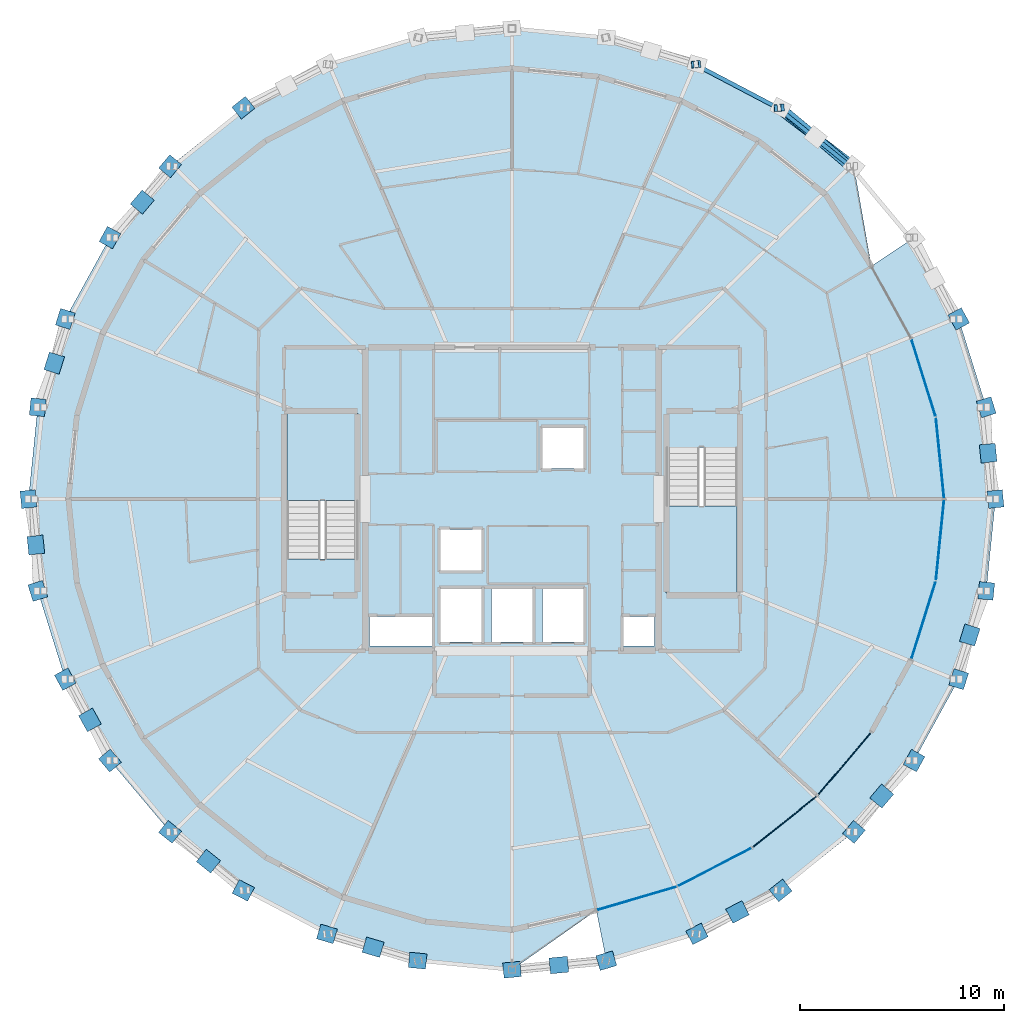
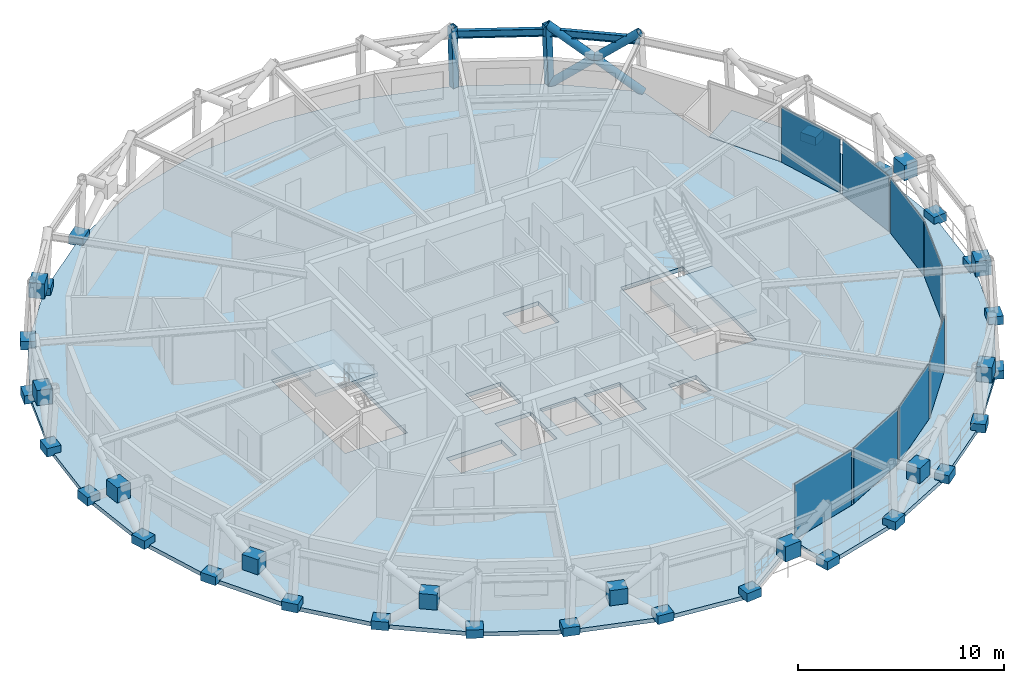
# One storey, part 10 of 16: 43 plates, 5 members, 4 slabs, 2 beams, 4 elements without a shape of their own.
"""IFC4 building model written with IfcOpenShell, lengths in metres."""

from ifc_helpers import new_model, si_unit, direction, frame, origin, origin_2d, place, context, subcontext, project, spatial, polyline, rectangle, hollow_rectangle, hollow_circle, i_section, outline, extrude, material, layer, layer_set, material_profile, profile_set, type_object, element, aggregate, save


model = new_model("IFC4")

# Units and contexts
model_context = context("Model", 3, precision=1e-05, world=origin(), true_north=direction((0.0, 1.0)))
body_context = subcontext(model_context, "Body", "Model", "MODEL_VIEW")
ifc_project = project(units=[si_unit("LENGTHUNIT", "METRE"), si_unit("AREAUNIT", "SQUARE_METRE"), si_unit("VOLUMEUNIT", "CUBIC_METRE"), si_unit("PLANEANGLEUNIT", "RADIAN"), si_unit("MASSUNIT", "GRAM", prefix="KILO")], contexts=[model_context])

# Site, building, storey
site_placement = place(None, origin())
site = spatial("IfcSite", under=ifc_project, at=site_placement, CompositionType="ELEMENT")
building_placement = place(site_placement, origin())
building = spatial("IfcBuilding", under=site, at=building_placement, Name="Veldorina Hangang Commons", CompositionType="ELEMENT")
storey_placement = place(building_placement, frame((0.0, 0.0, 240.0)))
storey = spatial("IfcBuildingStorey", under=building, at=storey_placement, Name="L62", CompositionType="ELEMENT", Elevation=240.0)

# Beams
ifc_material_1 = material(Name="Steel SM355-TMC", Category="steel")
ifc_material_profile_1 = material_profile(ifc_material_1, i_section(OverallWidth=0.199951171875, OverallDepth=0.449951171875, WebThickness=0.009033203125, FlangeThickness=0.013916015625, FilletRadius=0.01611328125, at=origin_2d()), Name="H-450x200x9x14")
ifc_profile_set_1 = profile_set([ifc_material_profile_1], Name="Steel SM355-TMC")
beam_type = type_object("IfcBeamType", Name="BM-RB450", PredefinedType="BEAM", material=ifc_profile_set_1)
beam_1_placement = place(storey_placement, frame((48.60888671875, 40.322509765625, 3.135009765625), z_axis=(-0.778414722613, 0.627750364093, 0.0), x_axis=(-0.627750364093, -0.778414722613, 0.0)))
element("IfcBeam", 1, at=beam_1_placement, inside=storey, type_object=beam_type, Name="L62 perimeter hoop ring beam 04", PredefinedType="BEAM", context=body_context, shape_type="SweptSolid", body=[
    extrude(i_section(OverallWidth=0.199951171875, OverallDepth=0.449951171875, WebThickness=0.009033203125, FlangeThickness=0.013916015625, FilletRadius=0.01611328125, at=origin_2d()), origin(), (0.0, 0.0, 1.0), 4.57275390625),
])
beam_2_placement = place(storey_placement, frame((45.04931640625, 43.193115234375, 3.135009765625), z_axis=(-0.885295472957, 0.465028951315, 0.0), x_axis=(-0.465028951315, -0.885295472957, 0.0)))
element("IfcBeam", 2, at=beam_2_placement, inside=storey, type_object=beam_type, Name="L62 perimeter hoop ring beam 05", PredefinedType="BEAM", context=body_context, shape_type="SweptSolid", body=[
    extrude(i_section(OverallWidth=0.199951171875, OverallDepth=0.449951171875, WebThickness=0.009033203125, FlangeThickness=0.013916015625, FilletRadius=0.01611328125, at=origin_2d()), origin(), (0.0, 0.0, 1.0), 4.5869140625),
])

# Members
ifc_material_profile_2 = material_profile(ifc_material_1, hollow_circle(Radius=0.22509765625, WallThickness=0.02197265625, at=origin_2d()), Name="CHS-450x22")
ifc_profile_set_2 = profile_set([ifc_material_profile_2], Name="Steel SM355-TMC")
member_type_1 = type_object("IfcMemberType", Name="DG-CHS450", PredefinedType="BRACE", material=ifc_profile_set_2)
member_1_placement = place(storey_placement, frame((48.7763671875, 40.329833984375, 0.0), z_axis=(-0.631585229019, 0.482475800846, 0.606891423636), x_axis=(-0.607052161522, -0.794661986754, 0.0)))
element("IfcMember", 3, at=member_1_placement, inside=storey, type_object=member_type_1, Name="L62 continuous perimeter diagrid brace 04", PredefinedType="BRACE", context=body_context, shape_type="SweptSolid", body=[
    extrude(hollow_circle(Radius=0.22509765625, WallThickness=0.02197265625, at=origin_2d()), origin(), (0.0, 0.0, 1.0), 5.93212890625),
])
member_2_placement = place(storey_placement, frame((45.18115234375, 43.201904296875, 0.0), z_axis=(0.596590203857, -0.499366209633, 0.628262299791), x_axis=(0.641857564941, 0.76682388221, 0.0)))
element("IfcMember", 4, at=member_2_placement, inside=storey, type_object=member_type_1, Name="L62 split perimeter diagrid lower brace 05", PredefinedType="BRACE", context=body_context, shape_type="SweptSolid", body=[
    extrude(hollow_circle(Radius=0.22509765625, WallThickness=0.02197265625, at=origin_2d()), origin(), (0.0, 0.0, 1.0), 2.875244140625),
])
member_3_placement = place(storey_placement, frame((46.896484375, 41.76611328125, 1.806396484375), z_axis=(0.59101348176, -0.506021091588, 0.628208340638), x_axis=(0.650374957041, 0.759613332725, 0.0)))
element("IfcMember", 5, at=member_3_placement, inside=storey, type_object=member_type_1, Name="L62 split perimeter diagrid upper brace 05", PredefinedType="BRACE", context=body_context, shape_type="SweptSolid", body=[
    extrude(hollow_circle(Radius=0.22509765625, WallThickness=0.02197265625, at=origin_2d()), origin(), (0.0, 0.0, 1.0), 2.855224609375),
])
ifc_material_profile_3 = material_profile(ifc_material_1, hollow_rectangle(XDim=0.35009765625, YDim=0.35009765625, WallThickness=0.01611328125, at=origin_2d()), Name="SHS-350x350x16")
ifc_profile_set_3 = profile_set([ifc_material_profile_3], Name="Steel SM355-TMC")
member_type_2 = type_object("IfcMemberType", Name="STR-SHS350", PredefinedType="STRUT", material=ifc_profile_set_3)
member_4_placement = place(storey_placement, frame((45.18115234375, 43.201904296875, 0.0), z_axis=(-0.042008023539, -0.002777949944, 0.999113411457), x_axis=(0.065984912024, -0.997820620846, 0.0)))
element("IfcMember", 6, at=member_4_placement, inside=storey, type_object=member_type_2, Name="L62 perimeter ring node post 05", PredefinedType="STRUT", context=body_context, shape_type="SweptSolid", body=[
    extrude(hollow_rectangle(XDim=0.35009765625, YDim=0.35009765625, WallThickness=0.01611328125, at=origin_2d()), origin(), (0.0, 0.0, 1.0), 3.603271484375),
])
member_5_placement = place(storey_placement, frame((41.079345703125, 45.3359375, 0.0), z_axis=(-0.028944731861, -0.003118167835, 0.999576149939), x_axis=(0.107108611239, -0.994247326071, 0.0)))
element("IfcMember", 7, at=member_5_placement, inside=storey, type_object=member_type_2, Name="L62 perimeter ring node post 06", PredefinedType="STRUT", context=body_context, shape_type="SweptSolid", body=[
    extrude(hollow_rectangle(XDim=0.35009765625, YDim=0.35009765625, WallThickness=0.01611328125, at=origin_2d()), origin(), (0.0, 0.0, 1.0), 3.6015625),
])

# Curtain wall, plates
ifc_material_2 = material(Name="Glass Low-E Selective", Category="glass")
ifc_layer_1 = layer(ifc_material_2, 0.179931640625)
ifc_layer_set_1 = layer_set([ifc_layer_1], Name="Glass Low-E Selective")
curtain_wall_type = type_object("IfcCurtainWallType", Name="CW-SYS-Z3", PredefinedType="NOTDEFINED", material=ifc_layer_set_1)
curtain_wall_1_placement = place(storey_placement, origin())
curtain_wall_1 = element("IfcCurtainWall", 8, at=curtain_wall_1_placement, inside=storey, type_object=curtain_wall_type, Name="L62 unitised curtain wall CW-L62-R1", PredefinedType="NOTDEFINED")
ifc_material_3 = material(Name="Glass Low-E Triple IGU", Category="glass")
ifc_layer_2 = layer(ifc_material_3, 0.0400390625)
ifc_layer_set_2 = layer_set([ifc_layer_2], Name="Glass Low-E Triple IGU")
plate_type_1 = type_object("IfcPlateType", Name="CW-PNL-VIS", PredefinedType="CURTAIN_PANEL", material=ifc_layer_set_2)
plate_1_placement = place(storey_placement, frame((38.1259765625, 4.40673828125, 0.014892578125), z_axis=(0.0, 0.0, 1.0), x_axis=(0.95931397454, 0.282341456843, 0.0)))
plate_1 = element("IfcPlate", 9, at=plate_1_placement, type_object=plate_type_1, Name="CW-L62-R1 facet 1 glazed vision panel", PredefinedType="CURTAIN_PANEL", context=body_context, shape_type="SweptSolid", body=[
    extrude(rectangle(XDim=3.966796875, YDim=0.0400390625, at=origin_2d()), origin(), (0.0, 0.0, 1.0), 3.2900390625),
])
plate_2_placement = place(storey_placement, frame((41.947998046875, 5.94287109375, 0.014892578125), z_axis=(0.0, 0.0, 1.0), x_axis=(0.887727016759, 0.460370224619, 0.0)))
plate_2 = element("IfcPlate", 10, at=plate_2_placement, type_object=plate_type_1, Name="CW-L62-R1 facet 2 glazed vision panel", PredefinedType="CURTAIN_PANEL", context=body_context, shape_type="SweptSolid", body=[
    extrude(rectangle(XDim=3.94970703125, YDim=0.0400390625, at=origin_2d()), origin(), (0.0, 0.0, 1.0), 3.2900390625),
])
plate_3_placement = place(storey_placement, frame((45.3876953125, 8.1728515625, 0.014892578125), z_axis=(0.0, 0.0, 1.0), x_axis=(0.782292973649, 0.622910670465, 0.0)))
plate_3 = element("IfcPlate", 11, at=plate_3_placement, type_object=plate_type_1, Name="CW-L62-R1 facet 3 glazed vision panel", PredefinedType="CURTAIN_PANEL", context=body_context, shape_type="SweptSolid", body=[
    extrude(rectangle(XDim=3.927734375, YDim=0.0400390625, at=origin_2d()), origin(), (0.0, 0.0, 1.0), 3.2900390625),
])
plate_4_placement = place(storey_placement, frame((48.31298828125, 11.010986328125, 0.014892578125), z_axis=(0.0, 0.0, 1.0), x_axis=(0.645804220899, 0.763503050596, 0.0)))
plate_4 = element("IfcPlate", 12, at=plate_4_placement, type_object=plate_type_1, Name="CW-L62-R1 facet 4 glazed vision panel", PredefinedType="CURTAIN_PANEL", context=body_context, shape_type="SweptSolid", body=[
    extrude(rectangle(XDim=3.9033203125, YDim=0.0400390625, at=origin_2d()), origin(), (0.0, 0.0, 1.0), 3.2900390625),
])
aggregate(curtain_wall_1, [plate_1, plate_2, plate_3, plate_4])

curtain_wall_2_placement = place(storey_placement, origin())
curtain_wall_2 = element("IfcCurtainWall", 13, at=curtain_wall_2_placement, inside=storey, type_object=curtain_wall_type, Name="L62 unitised curtain wall CW-L62-R2", PredefinedType="NOTDEFINED")
plate_5_placement = place(storey_placement, frame((52.194580078125, 18.056396484375, 0.014892578125), z_axis=(0.0, 0.0, 1.0), x_axis=(0.298407850381, 0.954438449996, 0.0)))
plate_5 = element("IfcPlate", 14, at=plate_5_placement, type_object=plate_type_1, Name="CW-L62-R2 facet 1 glazed vision panel", PredefinedType="CURTAIN_PANEL", context=body_context, shape_type="SweptSolid", body=[
    extrude(rectangle(XDim=3.86376953125, YDim=0.0400390625, at=origin_2d()), origin(), (0.0, 0.0, 1.0), 3.2900390625),
])
plate_6_placement = place(storey_placement, frame((53.001708984375, 21.9931640625, 0.014892578125), z_axis=(0.0, 0.0, 1.0), x_axis=(0.101004205212, 0.99488599876, 0.0)))
plate_6 = element("IfcPlate", 15, at=plate_6_placement, type_object=plate_type_1, Name="CW-L62-R2 facet 2 glazed vision panel", PredefinedType="CURTAIN_PANEL", context=body_context, shape_type="SweptSolid", body=[
    extrude(rectangle(XDim=3.8544921875, YDim=0.0400390625, at=origin_2d()), origin(), (0.0, 0.0, 1.0), 3.2900390625),
])
plate_7_placement = place(storey_placement, frame((53.001708984375, 26.0068359375, 0.014892578125), z_axis=(0.0, 0.0, 1.0), x_axis=(-0.101004205212, 0.99488599876, 0.0)))
plate_7 = element("IfcPlate", 16, at=plate_7_placement, type_object=plate_type_1, Name="CW-L62-R2 facet 3 glazed vision panel", PredefinedType="CURTAIN_PANEL", context=body_context, shape_type="SweptSolid", body=[
    extrude(rectangle(XDim=3.8544921875, YDim=0.0400390625, at=origin_2d()), origin(), (0.0, 0.0, 1.0), 3.2900390625),
])
plate_8_placement = place(storey_placement, frame((52.194580078125, 29.943603515625, 0.014892578125), z_axis=(0.0, 0.0, 1.0), x_axis=(-0.298407850381, 0.954438449996, 0.0)))
plate_8 = element("IfcPlate", 17, at=plate_8_placement, type_object=plate_type_1, Name="CW-L62-R2 facet 4 glazed vision panel", PredefinedType="CURTAIN_PANEL", context=body_context, shape_type="SweptSolid", body=[
    extrude(rectangle(XDim=3.86376953125, YDim=0.0400390625, at=origin_2d()), origin(), (0.0, 0.0, 1.0), 3.2900390625),
])
aggregate(curtain_wall_2, [plate_5, plate_6, plate_7, plate_8])

# Plates
ifc_material_4 = material(Name="Steel SM460-TMC", Category="steel")
ifc_layer_3 = layer(ifc_material_4, 0.035888671875)
ifc_layer_set_3 = layer_set([ifc_layer_3], Name="Steel SM460-TMC")
plate_type_2 = type_object("IfcPlateType", Name="PL-STAR-36", PredefinedType="USERDEFINED", material=ifc_layer_set_3)
plate_9_placement = place(storey_placement, frame((55.725341796875, 24.0, -0.090087890625), z_axis=(0.0, 0.0, 1.0), x_axis=(-0.100674282974, 0.99491943832, 0.0)))
element("IfcPlate", 18, at=plate_9_placement, inside=storey, type_object=plate_type_2, Name="L62 diagrid star-node gusset plate 00", ObjectType="GUSSET PLATE", PredefinedType="USERDEFINED", context=body_context, shape_type="SweptSolid", body=[
    extrude(rectangle(XDim=0.85009765625, YDim=0.75, at=origin_2d()), origin(), (0.0, 0.0, 1.0), 0.5),
])
plate_10_placement = place(storey_placement, frame((55.364013671875, 26.252197265625, 1.3505859375), z_axis=(0.0, 0.0, 1.0), x_axis=(-0.100674282974, 0.99491943832, 0.0)))
element("IfcPlate", 19, at=plate_10_placement, inside=storey, type_object=plate_type_2, Name="L62 diagrid X-crossing star-node gusset plate 00", ObjectType="GUSSET PLATE", PredefinedType="USERDEFINED", context=body_context, shape_type="SweptSolid", body=[
    extrude(rectangle(XDim=0.89990234375, YDim=0.780029296875, at=origin_2d()), origin(), (0.0, 0.0, 1.0), 0.89990234375),
])
for number, where, z_axis, x_axis, name in (
    (20, (55.26953125, 28.50537109375, -0.090087890625), (0.0, 0.0, 1.0), (-0.297524843884, 0.954714076188, 0.0), "L62 diagrid star-node gusset plate 01"),
    (21, (53.91943359375, 32.837646484375, -0.090087890625), (0.0, 0.0, 1.0), (-0.481340670832, 0.876533603807, 0.0), "L62 diagrid star-node gusset plate 02"),
    (22, (18.81884765625, 43.201904296875, -0.090087890625), (0.0, 0.0, 1.0), (-0.781313543143, -0.624138724404, 0.0), "L62 diagrid star-node gusset plate 11"),
    (23, (15.2236328125, 40.329833984375, -0.090087890625), (0.0, 0.0, 1.0), (-0.644577429821, -0.764539035606, 0.0), "L62 diagrid star-node gusset plate 12"),
):
    element("IfcPlate", number, at=place(storey_placement, frame(where, z_axis=z_axis, x_axis=x_axis)), inside=storey, type_object=plate_type_2, Name=name, ObjectType="GUSSET PLATE", PredefinedType="USERDEFINED", context=body_context, shape_type="SweptSolid", body=[
        extrude(rectangle(XDim=0.85009765625, YDim=0.75, at=origin_2d()), origin(), (0.0, 0.0, 1.0), 0.5),
    ])
plate_11_placement = place(storey_placement, frame((13.85791015625, 38.572265625, 1.354736328125), z_axis=(0.0, 0.0, 1.0), x_axis=(-0.644577429821, -0.764539035606, 0.0)))
element("IfcPlate", 24, at=plate_11_placement, inside=storey, type_object=plate_type_2, Name="L62 diagrid X-crossing star-node gusset plate 12", ObjectType="GUSSET PLATE", PredefinedType="USERDEFINED", context=body_context, shape_type="SweptSolid", body=[
    extrude(rectangle(XDim=0.89990234375, YDim=0.780029296875, at=origin_2d()), origin(), (0.0, 0.0, 1.0), 0.89990234375),
])
for number, where, z_axis, x_axis, name in (
    (25, (12.273193359375, 36.830322265625, -0.090087890625), (0.0, 0.0, 1.0), (-0.481340670832, -0.876533603807, 0.0), "L62 diagrid star-node gusset plate 13"),
    (26, (10.08056640625, 32.837646484375, -0.090087890625), (0.0, 0.0, 1.0), (-0.297524843884, -0.954714076188, 0.0), "L62 diagrid star-node gusset plate 14"),
):
    element("IfcPlate", number, at=place(storey_placement, frame(where, z_axis=z_axis, x_axis=x_axis)), inside=storey, type_object=plate_type_2, Name=name, ObjectType="GUSSET PLATE", PredefinedType="USERDEFINED", context=body_context, shape_type="SweptSolid", body=[
        extrude(rectangle(XDim=0.85009765625, YDim=0.75, at=origin_2d()), origin(), (0.0, 0.0, 1.0), 0.5),
    ])
plate_12_placement = place(storey_placement, frame((9.53857421875, 30.668701171875, 1.351318359375), z_axis=(0.0, 0.0, 1.0), x_axis=(-0.297524843884, -0.954714076188, 0.0)))
element("IfcPlate", 27, at=plate_12_placement, inside=storey, type_object=plate_type_2, Name="L62 diagrid X-crossing star-node gusset plate 14", ObjectType="GUSSET PLATE", PredefinedType="USERDEFINED", context=body_context, shape_type="SweptSolid", body=[
    extrude(rectangle(XDim=0.89990234375, YDim=0.780029296875, at=origin_2d()), origin(), (0.0, 0.0, 1.0), 0.89990234375),
])
for number, where, z_axis, x_axis, name in (
    (28, (8.73046875, 28.50537109375, -0.090087890625), (0.0, 0.0, 1.0), (-0.100674282974, -0.99491943832, 0.0), "L62 diagrid star-node gusset plate 15"),
    (29, (8.274658203125, 24.0, -0.090087890625), (0.0, 0.0, 1.0), (0.100674282974, -0.99491943832, 0.0), "L62 diagrid star-node gusset plate 16"),
):
    element("IfcPlate", number, at=place(storey_placement, frame(where, z_axis=z_axis, x_axis=x_axis)), inside=storey, type_object=plate_type_2, Name=name, ObjectType="GUSSET PLATE", PredefinedType="USERDEFINED", context=body_context, shape_type="SweptSolid", body=[
        extrude(rectangle(XDim=0.85009765625, YDim=0.75, at=origin_2d()), origin(), (0.0, 0.0, 1.0), 0.5),
    ])
plate_13_placement = place(storey_placement, frame((8.635986328125, 21.747802734375, 1.3505859375), z_axis=(0.0, 0.0, 1.0), x_axis=(0.100674282974, -0.99491943832, 0.0)))
element("IfcPlate", 30, at=plate_13_placement, inside=storey, type_object=plate_type_2, Name="L62 diagrid X-crossing star-node gusset plate 16", ObjectType="GUSSET PLATE", PredefinedType="USERDEFINED", context=body_context, shape_type="SweptSolid", body=[
    extrude(rectangle(XDim=0.89990234375, YDim=0.780029296875, at=origin_2d()), origin(), (0.0, 0.0, 1.0), 0.89990234375),
])
for number, where, z_axis, x_axis, name in (
    (31, (8.73046875, 19.49462890625, -0.090087890625), (0.0, 0.0, 1.0), (0.297524843884, -0.954714076188, 0.0), "L62 diagrid star-node gusset plate 17"),
    (32, (10.08056640625, 15.162353515625, -0.090087890625), (0.0, 0.0, 1.0), (0.481340670832, -0.876533603807, 0.0), "L62 diagrid star-node gusset plate 18"),
):
    element("IfcPlate", number, at=place(storey_placement, frame(where, z_axis=z_axis, x_axis=x_axis)), inside=storey, type_object=plate_type_2, Name=name, ObjectType="GUSSET PLATE", PredefinedType="USERDEFINED", context=body_context, shape_type="SweptSolid", body=[
        extrude(rectangle(XDim=0.85009765625, YDim=0.75, at=origin_2d()), origin(), (0.0, 0.0, 1.0), 0.5),
    ])
plate_14_placement = place(storey_placement, frame((11.291748046875, 13.166259765625, 1.352783203125), z_axis=(0.0, 0.0, 1.0), x_axis=(0.481340670832, -0.876533603807, 0.0)))
element("IfcPlate", 33, at=plate_14_placement, inside=storey, type_object=plate_type_2, Name="L62 diagrid X-crossing star-node gusset plate 18", ObjectType="GUSSET PLATE", PredefinedType="USERDEFINED", context=body_context, shape_type="SweptSolid", body=[
    extrude(rectangle(XDim=0.89990234375, YDim=0.780029296875, at=origin_2d()), origin(), (0.0, 0.0, 1.0), 0.89990234375),
])
for number, where, z_axis, x_axis, name in (
    (34, (12.273193359375, 11.169677734375, -0.090087890625), (0.0, 0.0, 1.0), (0.644577429821, -0.764539035606, 0.0), "L62 diagrid star-node gusset plate 19"),
    (35, (15.2236328125, 7.670166015625, -0.090087890625), (0.0, 0.0, 1.0), (0.781313543143, -0.624138724404, 0.0), "L62 diagrid star-node gusset plate 20"),
):
    element("IfcPlate", number, at=place(storey_placement, frame(where, z_axis=z_axis, x_axis=x_axis)), inside=storey, type_object=plate_type_2, Name=name, ObjectType="GUSSET PLATE", PredefinedType="USERDEFINED", context=body_context, shape_type="SweptSolid", body=[
        extrude(rectangle(XDim=0.85009765625, YDim=0.75, at=origin_2d()), origin(), (0.0, 0.0, 1.0), 0.5),
    ])
plate_15_placement = place(storey_placement, frame((17.103515625, 6.23388671875, 1.3564453125), z_axis=(0.0, 0.0, 1.0), x_axis=(0.781313543143, -0.624138724404, 0.0)))
element("IfcPlate", 36, at=plate_15_placement, inside=storey, type_object=plate_type_2, Name="L62 diagrid X-crossing star-node gusset plate 20", ObjectType="GUSSET PLATE", PredefinedType="USERDEFINED", context=body_context, shape_type="SweptSolid", body=[
    extrude(rectangle(XDim=0.89990234375, YDim=0.780029296875, at=origin_2d()), origin(), (0.0, 0.0, 1.0), 0.89990234375),
])
for number, where, z_axis, x_axis, name in (
    (37, (18.81884765625, 4.798095703125, -0.090087890625), (0.0, 0.0, 1.0), (0.887115577783, -0.461547344977, 0.0), "L62 diagrid star-node gusset plate 21"),
    (38, (22.920654296875, 2.6640625, -0.090087890625), (0.0, 0.0, 1.0), (0.959062277346, -0.283195247437, 0.0), "L62 diagrid star-node gusset plate 22"),
):
    element("IfcPlate", number, at=place(storey_placement, frame(where, z_axis=z_axis, x_axis=x_axis)), inside=storey, type_object=plate_type_2, Name=name, ObjectType="GUSSET PLATE", PredefinedType="USERDEFINED", context=body_context, shape_type="SweptSolid", body=[
        extrude(rectangle(XDim=0.85009765625, YDim=0.75, at=origin_2d()), origin(), (0.0, 0.0, 1.0), 0.5),
    ])
plate_16_placement = place(storey_placement, frame((25.1845703125, 2.009521484375, 1.359619140625), z_axis=(0.0, 0.0, 1.0), x_axis=(0.959062277346, -0.283195247437, 0.0)))
element("IfcPlate", 39, at=plate_16_placement, inside=storey, type_object=plate_type_2, Name="L62 diagrid X-crossing star-node gusset plate 22", ObjectType="GUSSET PLATE", PredefinedType="USERDEFINED", context=body_context, shape_type="SweptSolid", body=[
    extrude(rectangle(XDim=0.89990234375, YDim=0.780029296875, at=origin_2d()), origin(), (0.0, 0.0, 1.0), 0.89990234375),
])
for number, where, z_axis, x_axis, name in (
    (40, (27.371337890625, 1.349853515625, -0.090087890625), (0.0, 0.0, 1.0), (0.995436258815, -0.095428793539, 0.0), "L62 diagrid star-node gusset plate 23"),
    (41, (32.0, 0.906005859375, -0.090087890625), (0.0, 0.0, 1.0), (0.995436258815, 0.095428793539, 0.0), "L62 diagrid star-node gusset plate 24"),
):
    element("IfcPlate", number, at=place(storey_placement, frame(where, z_axis=z_axis, x_axis=x_axis)), inside=storey, type_object=plate_type_2, Name=name, ObjectType="GUSSET PLATE", PredefinedType="USERDEFINED", context=body_context, shape_type="SweptSolid", body=[
        extrude(rectangle(XDim=0.85009765625, YDim=0.75, at=origin_2d()), origin(), (0.0, 0.0, 1.0), 0.5),
    ])
plate_17_placement = place(storey_placement, frame((34.30078125, 1.13525390625, 1.3603515625), z_axis=(0.0, 0.0, 1.0), x_axis=(0.995436258815, 0.095428793539, 0.0)))
element("IfcPlate", 42, at=plate_17_placement, inside=storey, type_object=plate_type_2, Name="L62 diagrid X-crossing star-node gusset plate 24", ObjectType="GUSSET PLATE", PredefinedType="USERDEFINED", context=body_context, shape_type="SweptSolid", body=[
    extrude(rectangle(XDim=0.89990234375, YDim=0.780029296875, at=origin_2d()), origin(), (0.0, 0.0, 1.0), 0.89990234375),
])
for number, where, z_axis, x_axis, name in (
    (43, (36.628662109375, 1.349853515625, -0.090087890625), (0.0, 0.0, 1.0), (0.959062277346, 0.283195247437, 0.0), "L62 diagrid star-node gusset plate 25"),
    (44, (41.079345703125, 2.6640625, -0.090087890625), (0.0, 0.0, 1.0), (0.887115577783, 0.461547344977, 0.0), "L62 diagrid star-node gusset plate 26"),
):
    element("IfcPlate", number, at=place(storey_placement, frame(where, z_axis=z_axis, x_axis=x_axis)), inside=storey, type_object=plate_type_2, Name=name, ObjectType="GUSSET PLATE", PredefinedType="USERDEFINED", context=body_context, shape_type="SweptSolid", body=[
        extrude(rectangle(XDim=0.85009765625, YDim=0.75, at=origin_2d()), origin(), (0.0, 0.0, 1.0), 0.5),
    ])
plate_18_placement = place(storey_placement, frame((43.063720703125, 3.740966796875, 1.3583984375), z_axis=(0.0, 0.0, 1.0), x_axis=(0.887115577783, 0.461547344977, 0.0)))
element("IfcPlate", 45, at=plate_18_placement, inside=storey, type_object=plate_type_2, Name="L62 diagrid X-crossing star-node gusset plate 26", ObjectType="GUSSET PLATE", PredefinedType="USERDEFINED", context=body_context, shape_type="SweptSolid", body=[
    extrude(rectangle(XDim=0.89990234375, YDim=0.780029296875, at=origin_2d()), origin(), (0.0, 0.0, 1.0), 0.89990234375),
])
for number, where, z_axis, x_axis, name in (
    (46, (45.18115234375, 4.798095703125, -0.090087890625), (0.0, 0.0, 1.0), (0.781313543143, 0.624138724404, 0.0), "L62 diagrid star-node gusset plate 27"),
    (47, (48.7763671875, 7.670166015625, -0.090087890625), (0.0, 0.0, 1.0), (0.644577429821, 0.764539035606, 0.0), "L62 diagrid star-node gusset plate 28"),
):
    element("IfcPlate", number, at=place(storey_placement, frame(where, z_axis=z_axis, x_axis=x_axis)), inside=storey, type_object=plate_type_2, Name=name, ObjectType="GUSSET PLATE", PredefinedType="USERDEFINED", context=body_context, shape_type="SweptSolid", body=[
        extrude(rectangle(XDim=0.85009765625, YDim=0.75, at=origin_2d()), origin(), (0.0, 0.0, 1.0), 0.5),
    ])
plate_19_placement = place(storey_placement, frame((50.14208984375, 9.427734375, 1.354736328125), z_axis=(0.0, 0.0, 1.0), x_axis=(0.644577429821, 0.764539035606, 0.0)))
element("IfcPlate", 48, at=plate_19_placement, inside=storey, type_object=plate_type_2, Name="L62 diagrid X-crossing star-node gusset plate 28", ObjectType="GUSSET PLATE", PredefinedType="USERDEFINED", context=body_context, shape_type="SweptSolid", body=[
    extrude(rectangle(XDim=0.89990234375, YDim=0.780029296875, at=origin_2d()), origin(), (0.0, 0.0, 1.0), 0.89990234375),
])
for number, where, z_axis, x_axis, name in (
    (49, (51.726806640625, 11.169677734375, -0.090087890625), (0.0, 0.0, 1.0), (0.481340670832, 0.876533603807, 0.0), "L62 diagrid star-node gusset plate 29"),
    (50, (53.91943359375, 15.162353515625, -0.090087890625), (0.0, 0.0, 1.0), (0.297524843884, 0.954714076188, 0.0), "L62 diagrid star-node gusset plate 30"),
):
    element("IfcPlate", number, at=place(storey_placement, frame(where, z_axis=z_axis, x_axis=x_axis)), inside=storey, type_object=plate_type_2, Name=name, ObjectType="GUSSET PLATE", PredefinedType="USERDEFINED", context=body_context, shape_type="SweptSolid", body=[
        extrude(rectangle(XDim=0.85009765625, YDim=0.75, at=origin_2d()), origin(), (0.0, 0.0, 1.0), 0.5),
    ])
plate_20_placement = place(storey_placement, frame((54.46142578125, 17.331298828125, 1.351318359375), z_axis=(0.0, 0.0, 1.0), x_axis=(0.297524843884, 0.954714076188, 0.0)))
element("IfcPlate", 51, at=plate_20_placement, inside=storey, type_object=plate_type_2, Name="L62 diagrid X-crossing star-node gusset plate 30", ObjectType="GUSSET PLATE", PredefinedType="USERDEFINED", context=body_context, shape_type="SweptSolid", body=[
    extrude(rectangle(XDim=0.89990234375, YDim=0.780029296875, at=origin_2d()), origin(), (0.0, 0.0, 1.0), 0.89990234375),
])
plate_21_placement = place(storey_placement, frame((55.26953125, 19.49462890625, -0.090087890625), z_axis=(0.0, 0.0, 1.0), x_axis=(0.100674282974, 0.99491943832, 0.0)))
element("IfcPlate", 52, at=plate_21_placement, inside=storey, type_object=plate_type_2, Name="L62 diagrid star-node gusset plate 31", ObjectType="GUSSET PLATE", PredefinedType="USERDEFINED", context=body_context, shape_type="SweptSolid", body=[
    extrude(rectangle(XDim=0.85009765625, YDim=0.75, at=origin_2d()), origin(), (0.0, 0.0, 1.0), 0.5),
])

# Slabs
ifc_material_5 = material(Name="Concrete C40/50", Category="concrete")
ifc_layer_4 = layer(ifc_material_5, 0.239990234375)
ifc_layer_set_4 = layer_set([ifc_layer_4], Name="Concrete C40/50")
slab_type_1 = type_object("IfcSlabType", Name="SL-FLR-240", PredefinedType="FLOOR", material=ifc_layer_set_4)
slab_1_placement = place(storey_placement, frame((0.0, 0.0, -0.239990234375)))
element("IfcSlab", 53, at=slab_1_placement, inside=storey, type_object=slab_type_1, Name="L62 tower structural floor slab", PredefinedType="FLOOR", context=body_context, shape_type="SweptSolid", body=[
    extrude(outline(polyline([(53.205322265625, 24.0), (52.7978515625, 28.013916015625), (51.59130859375, 31.873291015625), (49.631591796875, 35.43017578125), (48.7763671875, 40.329833984375), (45.18115234375, 43.201904296875), (41.079345703125, 45.3359375), (36.628662109375, 46.650146484375), (32.0, 47.093994140625), (27.371337890625, 46.650146484375), (22.920654296875, 45.3359375), (18.81884765625, 43.201904296875), (15.2236328125, 40.329833984375), (12.273193359375, 36.830322265625), (10.08056640625, 32.837646484375), (8.73046875, 28.50537109375), (8.274658203125, 24.0), (8.73046875, 19.49462890625), (10.08056640625, 15.162353515625), (12.273193359375, 11.169677734375), (15.2236328125, 7.670166015625), (18.81884765625, 4.798095703125), (22.920654296875, 2.6640625), (27.371337890625, 1.349853515625), (32.0, 0.906005859375), (36.136962890625, 3.8212890625), (40.114990234375, 4.9921875), (43.781005859375, 6.893310546875), (46.994384765625, 9.4521484375), (49.631591796875, 12.56982421875), (51.59130859375, 16.126708984375), (52.7978515625, 19.986083984375), (53.205322265625, 24.0)]), holes=[polyline([(20.949951171875, 21.05810546875), (20.949951171875, 28.199951171875), (24.449951171875, 28.199951171875), (24.449951171875, 21.05810546875), (20.949951171875, 21.05810546875)]), polyline([(43.050048828125, 26.5419921875), (43.050048828125, 19.39990234375), (39.550048828125, 19.39990234375), (39.550048828125, 26.5419921875), (43.050048828125, 26.5419921875)]), polyline([(33.5, 27.5), (35.5, 27.5), (35.5, 25.5), (33.5, 25.5), (33.5, 27.5)]), polyline([(28.5, 22.5), (30.5, 22.5), (30.5, 20.5), (28.5, 20.5), (28.5, 22.5)]), polyline([(28.5, 19.60009765625), (30.5, 19.60009765625), (30.5, 17.0), (28.5, 17.0), (28.5, 19.60009765625)]), polyline([(31.0, 19.60009765625), (33.0, 19.60009765625), (33.0, 17.0), (31.0, 17.0), (31.0, 19.60009765625)]), polyline([(33.5, 19.60009765625), (35.5, 19.60009765625), (35.5, 17.0), (33.5, 17.0), (33.5, 19.60009765625)]), polyline([(25.0, 18.25), (28.10009765625, 18.25), (28.10009765625, 16.800048828125), (25.0, 16.800048828125), (25.0, 18.25)]), polyline([(37.449951171875, 18.25), (39.0, 18.25), (39.0, 16.800048828125), (37.449951171875, 16.800048828125), (37.449951171875, 18.25)])]), origin(), (0.0, 0.0, 1.0), 0.239990234375),
])
slab_2_placement = place(storey_placement, frame((0.0, 0.0, -0.239990234375)))
element("IfcSlab", 54, at=slab_2_placement, inside=storey, type_object=slab_type_1, Name="L62 sky-garden loggia outdoor slab", PredefinedType="FLOOR", context=body_context, shape_type="SweptSolid", body=[
    extrude(outline(polyline([(51.726806640625, 36.830322265625), (53.91943359375, 32.837646484375), (55.26953125, 28.50537109375), (55.725341796875, 24.0), (55.26953125, 19.49462890625), (53.91943359375, 15.162353515625), (51.726806640625, 11.169677734375), (48.7763671875, 7.670166015625), (45.18115234375, 4.798095703125), (41.079345703125, 2.6640625), (36.628662109375, 1.349853515625), (36.14013671875, 3.805419921875), (36.1435546875, 3.8076171875), (40.119140625, 4.977783203125), (40.12060546875, 4.978271484375), (40.121826171875, 4.97900390625), (43.7880859375, 6.880126953125), (43.789306640625, 6.880859375), (43.790283203125, 6.881591796875), (47.00390625, 9.4404296875), (47.0048828125, 9.44140625), (47.006103515625, 9.4423828125), (49.64306640625, 12.56005859375), (49.64404296875, 12.561279296875), (49.644775390625, 12.5625), (51.604248046875, 16.119384765625), (51.60498046875, 16.120849609375), (51.60546875, 16.122314453125), (52.812255859375, 19.981689453125), (52.8125, 19.983154296875), (52.812744140625, 19.984619140625), (53.22021484375, 23.99853515625), (53.220458984375, 24.0), (53.22021484375, 24.00146484375), (52.812744140625, 28.015380859375), (52.8125, 28.016845703125), (52.812255859375, 28.018310546875), (51.60546875, 31.877685546875), (51.60498046875, 31.879150390625), (51.604248046875, 31.880615234375), (49.64599609375, 35.435302734375), (49.645263671875, 35.439208984375), (51.726806640625, 36.830322265625)])), origin(), (0.0, 0.0, 1.0), 0.239990234375),
])

# Stair, slab
stair_type = type_object("IfcStairType", Name="STR-DOG-1650-20R", PredefinedType="HALF_TURN_STAIR", material=ifc_material_5)
stair_1_placement = place(storey_placement, origin())
stair_1 = element("IfcStair", 55, at=stair_1_placement, inside=storey, type_object=stair_type, Name="L62 Exit stair ST-1", PredefinedType="HALF_TURN_STAIR")
ifc_layer_5 = layer(ifc_material_5, 0.199951171875)
ifc_layer_set_5 = layer_set([ifc_layer_5], Name="Concrete C40/50")
slab_type_2 = type_object("IfcSlabType", Name="SL-LND-200", PredefinedType="LANDING", material=ifc_layer_set_5)
slab_3_placement = place(storey_placement, frame((0.0, 0.0, 1.60009765625)))
slab_3 = element("IfcSlab", 56, at=slab_3_placement, type_object=slab_type_2, Name="ST-1 landing 1", PredefinedType="LANDING", context=body_context, shape_type="SweptSolid", body=[
    extrude(outline(polyline([(24.449951171875, 23.929931640625), (24.449951171875, 28.199951171875), (20.949951171875, 28.199951171875), (20.949951171875, 23.929931640625), (24.449951171875, 23.929931640625)])), origin(), (0.0, 0.0, 1.0), 0.199951171875),
])
aggregate(stair_1, [slab_3])

stair_2_placement = place(storey_placement, origin())
stair_2 = element("IfcStair", 57, at=stair_2_placement, inside=storey, type_object=stair_type, Name="L62 Exit stair ST-2", PredefinedType="HALF_TURN_STAIR")
slab_4_placement = place(storey_placement, frame((0.0, 0.0, 1.60009765625)))
slab_4 = element("IfcSlab", 58, at=slab_4_placement, type_object=slab_type_2, Name="ST-2 landing 1", PredefinedType="LANDING", context=body_context, shape_type="SweptSolid", body=[
    extrude(outline(polyline([(39.550048828125, 23.669921875), (39.550048828125, 19.39990234375), (43.050048828125, 19.39990234375), (43.050048828125, 23.669921875), (39.550048828125, 23.669921875)])), origin(), (0.0, 0.0, 1.0), 0.199951171875),
])
aggregate(stair_2, [slab_4])

save(model, "model.ifc")
